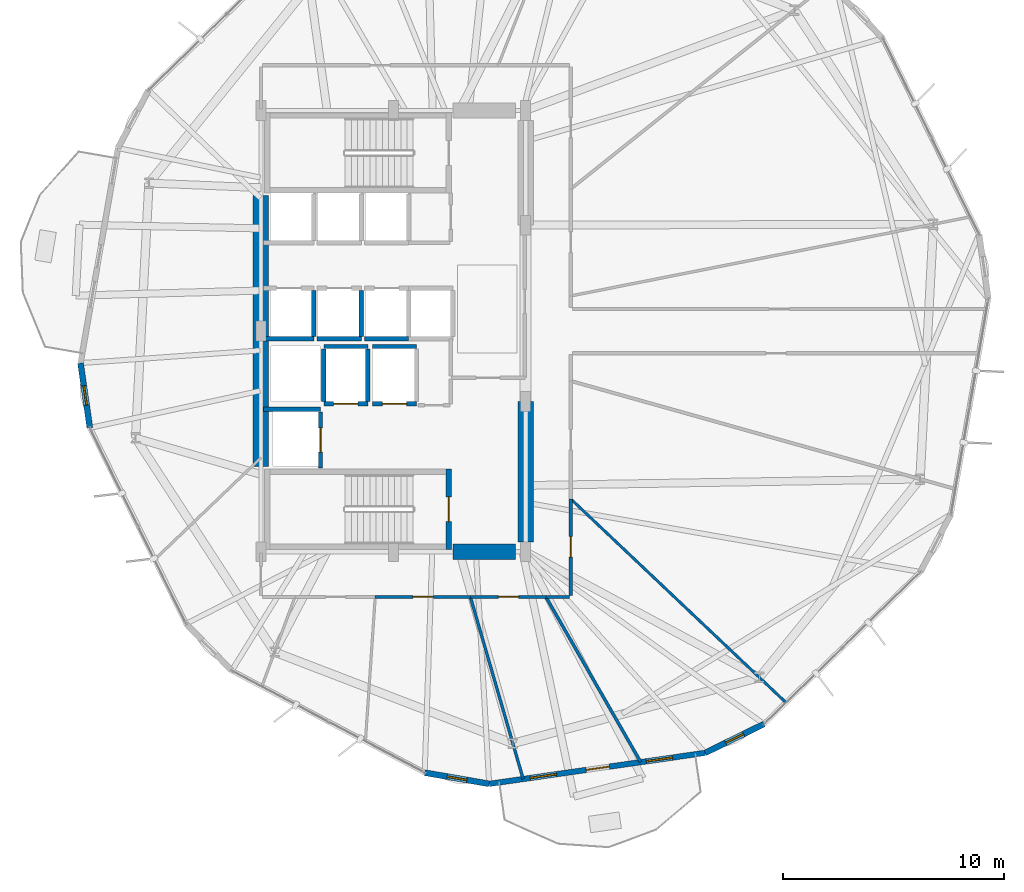
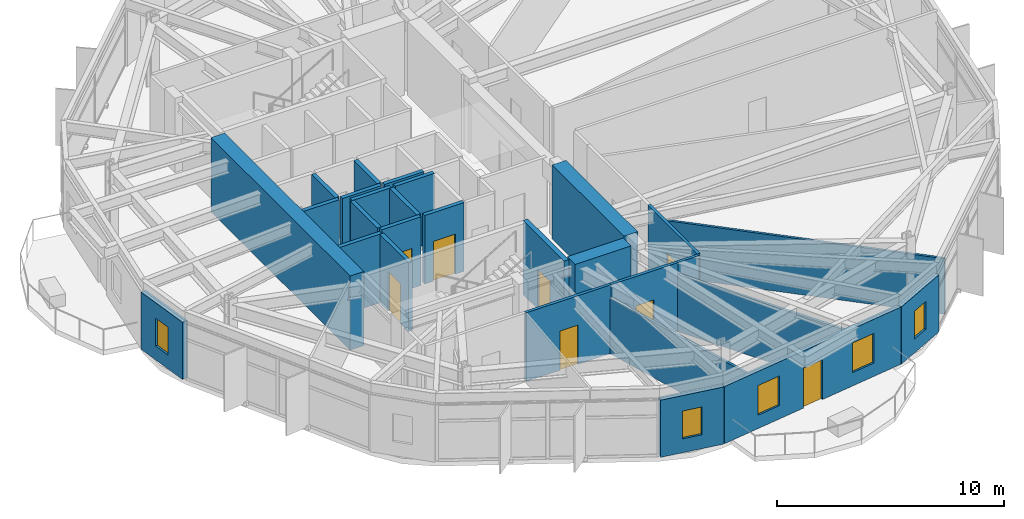
# One storey, part 16 of 22: 28 walls, 8 doors, 5 windows, 13 openings.
"""IFC4 building model written with IfcOpenShell, lengths in metres."""

from ifc_helpers import new_model, si_unit, direction, frame, frame_2d, origin, place, context, subcontext, project, spatial, rectangle, extrude, material, layer, layer_set, type_object, element, fill, save


model = new_model("IFC4")

# Units and contexts
model_context = context("Model", 3, precision=1e-05, world=origin(), true_north=direction((0.0, 1.0)))
body_context = subcontext(model_context, "Body", "Model", "MODEL_VIEW")
ifc_project = project(units=[si_unit("LENGTHUNIT", "METRE"), si_unit("AREAUNIT", "SQUARE_METRE"), si_unit("VOLUMEUNIT", "CUBIC_METRE"), si_unit("PLANEANGLEUNIT", "RADIAN"), si_unit("MASSUNIT", "GRAM", prefix="KILO")], contexts=[model_context])

# Site, building, storey
site_placement = place(None, origin())
site = spatial("IfcSite", under=ifc_project, at=site_placement, CompositionType="ELEMENT")
building_placement = place(site_placement, origin())
building = spatial("IfcBuilding", under=site, at=building_placement, Name="Soratama Intermodal Tower", CompositionType="ELEMENT")
storey_placement = place(building_placement, frame((0.0, 0.0, 58.60009765625)))
storey = spatial("IfcBuildingStorey", under=building, at=storey_placement, Name="L13", CompositionType="ELEMENT", Elevation=58.60009765625)

# Wall, openings, door, windows
ifc_material_1 = material(Name="Concrete f'c 42 MPa", Category="concrete")
ifc_layer_1 = layer(ifc_material_1, 0.25)
ifc_layer_set_1 = layer_set([ifc_layer_1], Name="Concrete f'c 42 MPa")
wall_type_1 = type_object("IfcWallType", Name="EW-BAL-250", PredefinedType="SOLIDWALL", material=ifc_layer_set_1)
wall_1_placement = place(storey_placement, frame((42.9453125, 4.47509765625, 0.0), z_axis=(0.0, 0.0, 1.0), x_axis=(0.989876819663, 0.141929143922, 0.0)))
wall_1 = element("IfcWall", 1, at=wall_1_placement, inside=storey, type_object=wall_type_1, Name="L13 Terrace Wall F08", PredefinedType="SOLIDWALL", context=body_context, shape_type="SweptSolid", body=[
    extrude(rectangle(XDim=9.894287109375, YDim=0.25, at=frame_2d((4.947265625, 0.0))), origin(), (0.0, 0.0, 1.0), 3.078857421875),
])
opening_1_placement = place(wall_1_placement, frame((4.447021484375, 0.0, 0.0)))
opening_1 = element("IfcOpeningElement", 2, at=opening_1_placement, cuts=wall_1, Name="Opening ED-5", PredefinedType="OPENING", context=body_context, shape_type="SweptSolid", body=[
    extrude(rectangle(XDim=1.050048828125, YDim=2.14990234375, at=frame_2d((0.52490234375, 1.074951171875))), frame((0.0, 0.135009765625, 0.0), z_axis=(0.0, -1.0, 0.0), x_axis=(1.0, 0.0, 0.0)), (0.0, 0.0, 1.0), 0.27001953125),
])
opening_2_placement = place(wall_1_placement, frame((1.884765625, 0.0, 0.719970703125)))
opening_2 = element("IfcOpeningElement", 3, at=opening_2_placement, cuts=wall_1, Name="Opening WN-2", PredefinedType="OPENING", context=body_context, shape_type="SweptSolid", body=[
    extrude(rectangle(XDim=1.199951171875, YDim=1.60009765625, at=frame_2d((0.60009765625, 0.800048828125))), frame((0.0, 0.135009765625, 0.0), z_axis=(0.0, -1.0, 0.0), x_axis=(1.0, 0.0, 0.0)), (0.0, 0.0, 1.0), 0.27001953125),
])
opening_3_placement = place(wall_1_placement, frame((7.195556640625, 0.0, 0.719970703125)))
opening_3 = element("IfcOpeningElement", 4, at=opening_3_placement, cuts=wall_1, Name="Opening WN-2", PredefinedType="OPENING", context=body_context, shape_type="SweptSolid", body=[
    extrude(rectangle(XDim=1.199951171875, YDim=1.60009765625, at=frame_2d((0.60009765625, 0.800048828125))), frame((0.0, 0.135009765625, 0.0), z_axis=(0.0, -1.0, 0.0), x_axis=(1.0, 0.0, 0.0)), (0.0, 0.0, 1.0), 0.27001953125),
])
ifc_material_2 = material(Name="Double-glazed aluminium door", Category="aluminium")
door_type_1 = type_object("IfcDoorType", Name="DR-BAL-1050", OperationType="NOTDEFINED", PredefinedType="DOOR", material=ifc_material_2)
door_1_placement = place(opening_1_placement, origin())
door_1 = element("IfcDoor", 5, at=door_1_placement, inside=storey, type_object=door_type_1, Name="L13 Balcony Door F08", OperationType="SINGLE_SWING_RIGHT", OverallHeight=2.14990234375, OverallWidth=1.050048828125, PredefinedType="DOOR", context=body_context, shape_type="SweptSolid", body=[
    extrude(rectangle(XDim=1.050048828125, YDim=2.14990234375, at=frame_2d((0.52490234375, 1.074951171875))), frame((0.0, 0.02490234375, 0.0), z_axis=(0.0, -1.0, 0.0), x_axis=(1.0, 0.0, 0.0)), (0.0, 0.0, 1.0), 0.050048828125),
])
fill(opening_1, door_1)
ifc_material_3 = material(Name="Double-glazed aluminium window", Category="aluminium")
window_type_1 = type_object("IfcWindowType", Name="WN-FAC-1200", PartitioningType="SINGLE_PANEL", PredefinedType="WINDOW", material=ifc_material_3)
window_1_placement = place(opening_2_placement, origin())
window_1 = element("IfcWindow", 6, at=window_1_placement, inside=storey, type_object=window_type_1, Name="L13 Window A F08", OverallHeight=1.60009765625, OverallWidth=1.199951171875, PartitioningType="SINGLE_PANEL", PredefinedType="WINDOW", context=body_context, shape_type="SweptSolid", body=[
    extrude(rectangle(XDim=1.199951171875, YDim=1.60009765625, at=frame_2d((0.60009765625, 0.800048828125))), frame((0.0, 0.030029296875, 0.0), z_axis=(0.0, -1.0, 0.0), x_axis=(1.0, 0.0, 0.0)), (0.0, 0.0, 1.0), 0.06005859375),
])
fill(opening_2, window_1)
window_2_placement = place(opening_3_placement, origin())
window_2 = element("IfcWindow", 7, at=window_2_placement, inside=storey, type_object=window_type_1, Name="L13 Window B F08", OverallHeight=1.60009765625, OverallWidth=1.199951171875, PartitioningType="SINGLE_PANEL", PredefinedType="WINDOW", context=body_context, shape_type="SweptSolid", body=[
    extrude(rectangle(XDim=1.199951171875, YDim=1.60009765625, at=frame_2d((0.60009765625, 0.800048828125))), frame((0.0, 0.030029296875, 0.0), z_axis=(0.0, -1.0, 0.0), x_axis=(1.0, 0.0, 0.0)), (0.0, 0.0, 1.0), 0.06005859375),
])
fill(opening_3, window_2)

# Wall, opening, window
ifc_material_4 = material(Name="Concrete f'c 42 MPa", Category="concrete")
ifc_layer_2 = layer(ifc_material_4, 0.27001953125)
ifc_layer_set_2 = layer_set([ifc_layer_2], Name="Concrete f'c 42 MPa")
wall_type_2 = type_object("IfcWallType", Name="EW-CRN-270", PredefinedType="SOLIDWALL", material=ifc_layer_set_2)
wall_2_placement = place(storey_placement, frame((24.423583984375, 23.548095703125, 0.0), z_axis=(0.0, 0.0, 1.0), x_axis=(0.141962851347, -0.989871986086, 0.0)))
wall_2 = element("IfcWall", 8, at=wall_2_placement, inside=storey, type_object=wall_type_2, Name="L13 Corner Closure Wall 05", PredefinedType="SOLIDWALL", context=body_context, shape_type="SweptSolid", body=[
    extrude(rectangle(XDim=2.966552734375, YDim=0.27001953125, at=frame_2d((1.4833984375, 0.0))), origin(), (0.0, 0.0, 1.0), 3.078857421875),
])
opening_4_placement = place(wall_2_placement, frame((1.033203125, 0.0, 0.75)))
opening_4 = element("IfcOpeningElement", 9, at=opening_4_placement, cuts=wall_2, Name="Opening WN-6", PredefinedType="OPENING", context=body_context, shape_type="SweptSolid", body=[
    extrude(rectangle(XDim=0.89990234375, YDim=1.5, at=frame_2d((0.449951171875, 0.75))), frame((0.0, 0.14501953125, 0.0), z_axis=(0.0, -1.0, 0.0), x_axis=(1.0, 0.0, 0.0)), (0.0, 0.0, 1.0), 0.2900390625),
])
ifc_material_5 = material(Name="Double-glazed aluminium window", Category="aluminium")
window_type_2 = type_object("IfcWindowType", Name="WN-FAC-900", PartitioningType="SINGLE_PANEL", PredefinedType="WINDOW", material=ifc_material_5)
window_3_placement = place(opening_4_placement, origin())
window_3 = element("IfcWindow", 10, at=window_3_placement, inside=storey, type_object=window_type_2, Name="L13 Corner Window 05", OverallHeight=1.5, OverallWidth=0.89990234375, PartitioningType="SINGLE_PANEL", PredefinedType="WINDOW", context=body_context, shape_type="SweptSolid", body=[
    extrude(rectangle(XDim=0.89990234375, YDim=1.5, at=frame_2d((0.449951171875, 0.75))), frame((0.0, 0.030029296875, 0.0), z_axis=(0.0, -1.0, 0.0), x_axis=(1.0, 0.0, 0.0)), (0.0, 0.0, 1.0), 0.06005859375),
])
fill(opening_4, window_3)

wall_3_placement = place(storey_placement, frame((40.0224609375, 4.98193359375, 0.0), z_axis=(0.0, 0.0, 1.0), x_axis=(0.985296200015, -0.170854904045, 0.0)))
wall_3 = element("IfcWall", 11, at=wall_3_placement, inside=storey, type_object=wall_type_2, Name="L13 Corner Closure Wall 07", PredefinedType="SOLIDWALL", context=body_context, shape_type="SweptSolid", body=[
    extrude(rectangle(XDim=2.966552734375, YDim=0.27001953125, at=frame_2d((1.4833984375, 0.0))), origin(), (0.0, 0.0, 1.0), 3.078857421875),
])
opening_5_placement = place(wall_3_placement, frame((1.033203125, 0.0, 0.75)))
opening_5 = element("IfcOpeningElement", 12, at=opening_5_placement, cuts=wall_3, Name="Opening WN-6", PredefinedType="OPENING", context=body_context, shape_type="SweptSolid", body=[
    extrude(rectangle(XDim=0.89990234375, YDim=1.5, at=frame_2d((0.449951171875, 0.75))), frame((0.0, 0.14501953125, 0.0), z_axis=(0.0, -1.0, 0.0), x_axis=(1.0, 0.0, 0.0)), (0.0, 0.0, 1.0), 0.2900390625),
])
window_4_placement = place(opening_5_placement, origin())
window_4 = element("IfcWindow", 13, at=window_4_placement, inside=storey, type_object=window_type_2, Name="L13 Corner Window 07", OverallHeight=1.5, OverallWidth=0.89990234375, PartitioningType="SINGLE_PANEL", PredefinedType="WINDOW", context=body_context, shape_type="SweptSolid", body=[
    extrude(rectangle(XDim=0.89990234375, YDim=1.5, at=frame_2d((0.449951171875, 0.75))), frame((0.0, 0.030029296875, 0.0), z_axis=(0.0, -1.0, 0.0), x_axis=(1.0, 0.0, 0.0)), (0.0, 0.0, 1.0), 0.06005859375),
])
fill(opening_5, window_4)

wall_4_placement = place(storey_placement, frame((52.739501953125, 5.87939453125, 0.0), z_axis=(0.0, 0.0, 1.0), x_axis=(0.897565182517, 0.440881779089, 0.0)))
wall_4 = element("IfcWall", 14, at=wall_4_placement, inside=storey, type_object=wall_type_2, Name="L13 Corner Closure Wall 08", PredefinedType="SOLIDWALL", context=body_context, shape_type="SweptSolid", body=[
    extrude(rectangle(XDim=2.966552734375, YDim=0.27001953125, at=frame_2d((1.4833984375, 0.0))), origin(), (0.0, 0.0, 1.0), 3.078857421875),
])
opening_6_placement = place(wall_4_placement, frame((1.033203125, 0.0, 0.75)))
opening_6 = element("IfcOpeningElement", 15, at=opening_6_placement, cuts=wall_4, Name="Opening WN-6", PredefinedType="OPENING", context=body_context, shape_type="SweptSolid", body=[
    extrude(rectangle(XDim=0.89990234375, YDim=1.5, at=frame_2d((0.449951171875, 0.75))), frame((0.0, 0.14501953125, 0.0), z_axis=(0.0, -1.0, 0.0), x_axis=(1.0, 0.0, 0.0)), (0.0, 0.0, 1.0), 0.2900390625),
])
window_5_placement = place(opening_6_placement, origin())
window_5 = element("IfcWindow", 16, at=window_5_placement, inside=storey, type_object=window_type_2, Name="L13 Corner Window 08", OverallHeight=1.5, OverallWidth=0.89990234375, PartitioningType="SINGLE_PANEL", PredefinedType="WINDOW", context=body_context, shape_type="SweptSolid", body=[
    extrude(rectangle(XDim=0.89990234375, YDim=1.5, at=frame_2d((0.449951171875, 0.75))), frame((0.0, 0.030029296875, 0.0), z_axis=(0.0, -1.0, 0.0), x_axis=(1.0, 0.0, 0.0)), (0.0, 0.0, 1.0), 0.06005859375),
])
fill(opening_6, window_5)

# Wall, opening, door
ifc_material_6 = material(Name="Fire-rated gypsum stud partition", Category="concrete")
ifc_layer_3 = layer(ifc_material_6, 0.14990234375)
ifc_layer_set_3 = layer_set([ifc_layer_3], Name="Fire-rated gypsum stud partition")
wall_type_3 = type_object("IfcWallType", Name="IW-PART-R150", PredefinedType="PARTITIONING", material=ifc_layer_set_3)
wall_5_placement = place(storey_placement, frame((46.64990234375, 17.385009765625, 0.0), z_axis=(0.0, 0.0, 1.0), x_axis=(0.0, -1.0, 0.0)))
wall_5 = element("IfcWall", 17, at=wall_5_placement, inside=storey, type_object=wall_type_3, Name="L13 Partition W-L13-TP017", PredefinedType="PARTITIONING", context=body_context, shape_type="SweptSolid", body=[
    extrude(rectangle(XDim=4.364990234375, YDim=0.14990234375, at=frame_2d((2.1826171875, 0.0))), origin(), (0.0, 0.0, 1.0), 3.699951171875),
])
opening_7_placement = place(wall_5_placement, frame((1.7080078125, 0.0, 0.0)))
opening_7 = element("IfcOpeningElement", 18, at=opening_7_placement, cuts=wall_5, Name="Opening ID-6", PredefinedType="OPENING", context=body_context, shape_type="SweptSolid", body=[
    extrude(rectangle(XDim=0.919921875, YDim=2.1201171875, at=frame_2d((0.4599609375, 1.06005859375))), frame((0.0, 0.0849609375, 0.0), z_axis=(0.0, -1.0, 0.0), x_axis=(1.0, 0.0, 0.0)), (0.0, 0.0, 1.0), 0.169921875),
])
ifc_material_7 = material(Name="Solid hardwood acoustic door", Category="wood")
door_type_2 = type_object("IfcDoorType", Name="DR-ROOM-920", OperationType="NOTDEFINED", PredefinedType="DOOR", material=ifc_material_7)
door_2_placement = place(opening_7_placement, origin())
door_2 = element("IfcDoor", 19, at=door_2_placement, inside=storey, type_object=door_type_2, Name="L13 Door D-L13-TP008", OperationType="SINGLE_SWING_LEFT", OverallHeight=2.1201171875, OverallWidth=0.919921875, PredefinedType="DOOR", context=body_context, shape_type="SweptSolid", body=[
    extrude(rectangle(XDim=0.919921875, YDim=2.1201171875, at=frame_2d((0.4599609375, 1.06005859375))), frame((0.0, 0.02490234375, 0.0), z_axis=(0.0, -1.0, 0.0), x_axis=(1.0, 0.0, 0.0)), (0.0, 0.0, 1.0), 0.050048828125),
])
fill(opening_7, door_2)

wall_6_placement = place(storey_placement, frame((42.093994140625, 12.949951171875, 0.0), z_axis=(0.0, 0.0, 1.0), x_axis=(-1.0, 0.0, 0.0)))
wall_6 = element("IfcWall", 20, at=wall_6_placement, inside=storey, type_object=wall_type_3, Name="L13 Partition W-L13-TP019", PredefinedType="PARTITIONING", context=body_context, shape_type="SweptSolid", body=[
    extrude(rectangle(XDim=4.31298828125, YDim=0.14990234375, at=frame_2d((2.156494140625, 0.0))), origin(), (0.0, 0.0, 1.0), 3.699951171875),
])
opening_8_placement = place(wall_6_placement, frame((1.681884765625, 0.0, 0.0)))
opening_8 = element("IfcOpeningElement", 21, at=opening_8_placement, cuts=wall_6, Name="Opening ID-6", PredefinedType="OPENING", context=body_context, shape_type="SweptSolid", body=[
    extrude(rectangle(XDim=0.919921875, YDim=2.1201171875, at=frame_2d((0.4599609375, 1.06005859375))), frame((0.0, 0.0849609375, 0.0), z_axis=(0.0, -1.0, 0.0), x_axis=(1.0, 0.0, 0.0)), (0.0, 0.0, 1.0), 0.169921875),
])
door_3_placement = place(opening_8_placement, origin())
door_3 = element("IfcDoor", 22, at=door_3_placement, inside=storey, type_object=door_type_2, Name="L13 Door D-L13-TP009", OperationType="SINGLE_SWING_RIGHT", OverallHeight=2.1201171875, OverallWidth=0.919921875, PredefinedType="DOOR", context=body_context, shape_type="SweptSolid", body=[
    extrude(rectangle(XDim=0.919921875, YDim=2.1201171875, at=frame_2d((0.4599609375, 1.06005859375))), frame((0.0, 0.02490234375, 0.0), z_axis=(0.0, -1.0, 0.0), x_axis=(1.0, 0.0, 0.0)), (0.0, 0.0, 1.0), 0.050048828125),
])
fill(opening_8, door_3)

wall_7_placement = place(storey_placement, frame((45.51708984375, 12.949951171875, 0.0), z_axis=(0.0, 0.0, 1.0), x_axis=(-1.0, 0.0, 0.0)))
wall_7 = element("IfcWall", 23, at=wall_7_placement, inside=storey, type_object=wall_type_3, Name="L13 Partition W-L13-TP021", PredefinedType="PARTITIONING", context=body_context, shape_type="SweptSolid", body=[
    extrude(rectangle(XDim=3.423095703125, YDim=0.14990234375, at=frame_2d((1.71142578125, 0.0))), origin(), (0.0, 0.0, 1.0), 3.699951171875),
])
opening_9_placement = place(wall_7_placement, frame((1.237060546875, 0.0, 0.0)))
opening_9 = element("IfcOpeningElement", 24, at=opening_9_placement, cuts=wall_7, Name="Opening ID-6", PredefinedType="OPENING", context=body_context, shape_type="SweptSolid", body=[
    extrude(rectangle(XDim=0.919921875, YDim=2.1201171875, at=frame_2d((0.4599609375, 1.06005859375))), frame((0.0, 0.0849609375, 0.0), z_axis=(0.0, -1.0, 0.0), x_axis=(1.0, 0.0, 0.0)), (0.0, 0.0, 1.0), 0.169921875),
])
door_4_placement = place(opening_9_placement, origin())
door_4 = element("IfcDoor", 25, at=door_4_placement, inside=storey, type_object=door_type_2, Name="L13 Door D-L13-TP011", OperationType="SINGLE_SWING_RIGHT", OverallHeight=2.1201171875, OverallWidth=0.919921875, PredefinedType="DOOR", context=body_context, shape_type="SweptSolid", body=[
    extrude(rectangle(XDim=0.919921875, YDim=2.1201171875, at=frame_2d((0.4599609375, 1.06005859375))), frame((0.0, 0.02490234375, 0.0), z_axis=(0.0, -1.0, 0.0), x_axis=(1.0, 0.0, 0.0)), (0.0, 0.0, 1.0), 0.050048828125),
])
fill(opening_9, door_4)

# Walls
wall_8_placement = place(storey_placement, frame((46.580078125, 12.949951171875, 0.0), z_axis=(0.0, 0.0, 1.0), x_axis=(-1.0, 0.0, 0.0)))
element("IfcWall", 26, at=wall_8_placement, inside=storey, type_object=wall_type_3, Name="L13 Partition W-L13-TP033", PredefinedType="PARTITIONING", context=body_context, shape_type="SweptSolid", body=[
    extrude(rectangle(XDim=1.06298828125, YDim=0.14990234375, at=frame_2d((0.531494140625, 0.0))), origin(), (0.0, 0.0, 1.0), 3.699951171875),
])
ifc_material_8 = material(Name="Fire-rated gypsum stud partition", Category="concrete")
ifc_layer_4 = layer(ifc_material_8, 0.1201171875)
ifc_layer_set_4 = layer_set([ifc_layer_4], Name="Fire-rated gypsum stud partition")
wall_type_4 = type_object("IfcWallType", Name="IW-PART-S120", PredefinedType="PARTITIONING", material=ifc_layer_set_4)
wall_9_placement = place(storey_placement, frame((46.64990234375, 17.385009765625, 0.0), z_axis=(0.0, 0.0, 1.0), x_axis=(0.726394067909, -0.687278442923, 0.0)))
element("IfcWall", 27, at=wall_9_placement, inside=storey, type_object=wall_type_4, Name="L13 Partition W-L13-TP006", PredefinedType="PARTITIONING", context=body_context, shape_type="SweptSolid", body=[
    extrude(rectangle(XDim=13.425537109375, YDim=0.1201171875, at=frame_2d((6.712890625, 0.0))), origin(), (0.0, 0.0, 1.0), 2.994873046875),
])
ifc_material_9 = material(Name="Fire-rated gypsum stud partition", Category="concrete")
ifc_layer_5 = layer(ifc_material_9, 0.1298828125)
ifc_layer_set_5 = layer_set([ifc_layer_5], Name="Fire-rated gypsum stud partition")
wall_type_5 = type_object("IfcWallType", Name="IW-PART-S130", PredefinedType="PARTITIONING", material=ifc_layer_set_5)
wall_10_placement = place(storey_placement, frame((42.093994140625, 12.949951171875, 0.0), z_axis=(0.0, 0.0, 1.0), x_axis=(0.278463654044, -0.960446767591, 0.0)))
element("IfcWall", 28, at=wall_10_placement, inside=storey, type_object=wall_type_5, Name="L13 Partition W-L13-TP010", PredefinedType="PARTITIONING", context=body_context, shape_type="SweptSolid", body=[
    extrude(rectangle(XDim=8.59375, YDim=0.1298828125, at=frame_2d((4.296875, 0.0))), origin(), (0.0, 0.0, 1.0), 2.994873046875),
])
ifc_material_10 = material(Name="Fire-rated gypsum stud partition", Category="concrete")
ifc_layer_6 = layer(ifc_material_10, 0.139892578125)
ifc_layer_set_6 = layer_set([ifc_layer_6], Name="Fire-rated gypsum stud partition")
wall_type_6 = type_object("IfcWallType", Name="IW-PART-S140", PredefinedType="PARTITIONING", material=ifc_layer_set_6)
wall_11_placement = place(storey_placement, frame((45.51708984375, 12.949951171875, 0.0), z_axis=(0.0, 0.0, 1.0), x_axis=(0.497782071086, -0.867302144414, 0.0)))
element("IfcWall", 29, at=wall_11_placement, inside=storey, type_object=wall_type_6, Name="L13 Partition W-L13-TP009", PredefinedType="PARTITIONING", context=body_context, shape_type="SweptSolid", body=[
    extrude(rectangle(XDim=8.635986328125, YDim=0.139892578125, at=frame_2d((4.31787109375, 0.0))), origin(), (0.0, 0.0, 1.0), 3.073974609375),
])

# Wall, opening, door
ifc_material_11 = material(Name="Concrete f'c 42 MPa", Category="concrete")
ifc_layer_7 = layer(ifc_material_11, 0.199951171875)
ifc_layer_set_7 = layer_set([ifc_layer_7], Name="Concrete f'c 42 MPa")
wall_type_7 = type_object("IfcWallType", Name="IW-SHAFT-200", PredefinedType="SOLIDWALL", material=ifc_layer_set_7)
wall_12_placement = place(storey_placement, frame((35.449951171875, 21.699951171875, 0.0), z_axis=(0.0, 0.0, 1.0), x_axis=(1.0, 0.0, 0.0)))
wall_12 = element("IfcWall", 30, at=wall_12_placement, inside=storey, type_object=wall_type_7, Name="L13 FFL-1 Hoistway Wall S", PredefinedType="SOLIDWALL", context=body_context, shape_type="SweptSolid", body=[
    extrude(rectangle(XDim=2.0, YDim=0.199951171875, at=frame_2d((1.0, 0.0))), origin(), (0.0, 0.0, 1.0), 3.699951171875),
])
opening_10_placement = place(wall_12_placement, frame((0.449951171875, 0.0, 0.0)))
opening_10 = element("IfcOpeningElement", 31, at=opening_10_placement, cuts=wall_12, Name="Opening LD-1", PredefinedType="OPENING", context=body_context, shape_type="SweptSolid", body=[
    extrude(rectangle(XDim=1.10009765625, YDim=2.14990234375, at=frame_2d((0.550048828125, 1.074951171875))), frame((0.0, 0.10986328125, 0.0), z_axis=(0.0, -1.0, 0.0), x_axis=(1.0, 0.0, 0.0)), (0.0, 0.0, 1.0), 0.219970703125),
])
ifc_material_12 = material(Name="Steel fire door", Category="steel")
door_type_3 = type_object("IfcDoorType", Name="DR-LIFT-SLIDE", OperationType="NOTDEFINED", PredefinedType="DOOR", material=ifc_material_12)
door_5_placement = place(opening_10_placement, origin())
door_5 = element("IfcDoor", 32, at=door_5_placement, inside=storey, type_object=door_type_3, Name="L13 FFL-1 Sliding Landing Door", OperationType="SLIDING_TO_LEFT", OverallHeight=2.14990234375, OverallWidth=1.10009765625, PredefinedType="DOOR", context=body_context, shape_type="SweptSolid", body=[
    extrude(rectangle(XDim=1.10009765625, YDim=2.14990234375, at=frame_2d((0.550048828125, 1.074951171875))), frame((0.0, 0.02490234375, 0.0), z_axis=(0.0, -1.0, 0.0), x_axis=(1.0, 0.0, 0.0)), (0.0, 0.0, 1.0), 0.050048828125),
])
fill(opening_10, door_5)

# Walls
wall_13_placement = place(storey_placement, frame((35.449951171875, 24.300048828125, 0.0), z_axis=(0.0, 0.0, 1.0), x_axis=(1.0, 0.0, 0.0)))
element("IfcWall", 33, at=wall_13_placement, inside=storey, type_object=wall_type_7, Name="L13 FFL-1 Hoistway Wall N", PredefinedType="SOLIDWALL", context=body_context, shape_type="SweptSolid", body=[
    extrude(rectangle(XDim=2.0, YDim=0.199951171875, at=frame_2d((1.0, 0.0))), origin(), (0.0, 0.0, 1.0), 3.699951171875),
])
for number, where, z_axis, x_axis, name in (
    (34, (35.449951171875, 21.81005859375, 0.0), (0.0, 0.0, 1.0), (0.0, 1.0, 0.0), "L13 FFL-1 Hoistway Wall W"),
    (35, (37.449951171875, 21.81005859375, 0.0), (0.0, 0.0, 1.0), (0.0, 1.0, 0.0), "L13 FFL-1 Hoistway Wall E"),
):
    element("IfcWall", number, at=place(storey_placement, frame(where, z_axis=z_axis, x_axis=x_axis)), inside=storey, type_object=wall_type_7, Name=name, PredefinedType="SOLIDWALL", context=body_context, shape_type="SweptSolid", body=[
        extrude(rectangle(XDim=2.3798828125, YDim=0.199951171875, at=frame_2d((1.18994140625, 0.0))), origin(), (0.0, 0.0, 1.0), 3.699951171875),
    ])

# Wall, opening, door
wall_14_placement = place(storey_placement, frame((37.64990234375, 21.699951171875, 0.0), z_axis=(0.0, 0.0, 1.0), x_axis=(1.0, 0.0, 0.0)))
wall_14 = element("IfcWall", 36, at=wall_14_placement, inside=storey, type_object=wall_type_7, Name="L13 FFL-2 Hoistway Wall S", PredefinedType="SOLIDWALL", context=body_context, shape_type="SweptSolid", body=[
    extrude(rectangle(XDim=2.0, YDim=0.199951171875, at=frame_2d((1.0, 0.0))), origin(), (0.0, 0.0, 1.0), 3.699951171875),
])
opening_11_placement = place(wall_14_placement, frame((0.449951171875, 0.0, 0.0)))
opening_11 = element("IfcOpeningElement", 37, at=opening_11_placement, cuts=wall_14, Name="Opening LD-1", PredefinedType="OPENING", context=body_context, shape_type="SweptSolid", body=[
    extrude(rectangle(XDim=1.10009765625, YDim=2.14990234375, at=frame_2d((0.550048828125, 1.074951171875))), frame((0.0, 0.10986328125, 0.0), z_axis=(0.0, -1.0, 0.0), x_axis=(1.0, 0.0, 0.0)), (0.0, 0.0, 1.0), 0.219970703125),
])
door_6_placement = place(opening_11_placement, origin())
door_6 = element("IfcDoor", 38, at=door_6_placement, inside=storey, type_object=door_type_3, Name="L13 FFL-2 Sliding Landing Door", OperationType="SLIDING_TO_LEFT", OverallHeight=2.14990234375, OverallWidth=1.10009765625, PredefinedType="DOOR", context=body_context, shape_type="SweptSolid", body=[
    extrude(rectangle(XDim=1.10009765625, YDim=2.14990234375, at=frame_2d((0.550048828125, 1.074951171875))), frame((0.0, 0.02490234375, 0.0), z_axis=(0.0, -1.0, 0.0), x_axis=(1.0, 0.0, 0.0)), (0.0, 0.0, 1.0), 0.050048828125),
])
fill(opening_11, door_6)

# Walls
wall_15_placement = place(storey_placement, frame((37.64990234375, 24.300048828125, 0.0), z_axis=(0.0, 0.0, 1.0), x_axis=(1.0, 0.0, 0.0)))
element("IfcWall", 39, at=wall_15_placement, inside=storey, type_object=wall_type_7, Name="L13 FFL-2 Hoistway Wall N", PredefinedType="SOLIDWALL", context=body_context, shape_type="SweptSolid", body=[
    extrude(rectangle(XDim=2.0, YDim=0.199951171875, at=frame_2d((1.0, 0.0))), origin(), (0.0, 0.0, 1.0), 3.699951171875),
])
wall_16_placement = place(storey_placement, frame((32.719970703125, 21.449951171875, 0.0), z_axis=(0.0, 0.0, 1.0), x_axis=(1.0, 0.0, 0.0)))
element("IfcWall", 40, at=wall_16_placement, inside=storey, type_object=wall_type_7, Name="L13 SVL-1 Hoistway Wall N", PredefinedType="SOLIDWALL", context=body_context, shape_type="SweptSolid", body=[
    extrude(rectangle(XDim=2.580078125, YDim=0.199951171875, at=frame_2d((1.2900390625, 0.0))), origin(), (0.0, 0.0, 1.0), 3.699951171875),
])

# Wall, opening, door
wall_17_placement = place(storey_placement, frame((35.300048828125, 18.7900390625, 0.0), z_axis=(0.0, 0.0, 1.0), x_axis=(0.0, 1.0, 0.0)))
wall_17 = element("IfcWall", 41, at=wall_17_placement, inside=storey, type_object=wall_type_7, Name="L13 SVL-1 Hoistway Wall E", PredefinedType="SOLIDWALL", context=body_context, shape_type="SweptSolid", body=[
    extrude(rectangle(XDim=2.550048828125, YDim=0.199951171875, at=frame_2d((1.27490234375, 0.0))), origin(), (0.0, 0.0, 1.0), 3.699951171875),
])
opening_12_placement = place(wall_17_placement, frame((0.72509765625, 0.0, 0.0)))
opening_12 = element("IfcOpeningElement", 42, at=opening_12_placement, cuts=wall_17, Name="Opening LD-1", PredefinedType="OPENING", context=body_context, shape_type="SweptSolid", body=[
    extrude(rectangle(XDim=1.10009765625, YDim=2.14990234375, at=frame_2d((0.550048828125, 1.074951171875))), frame((0.0, 0.10986328125, 0.0), z_axis=(0.0, -1.0, 0.0), x_axis=(1.0, 0.0, 0.0)), (0.0, 0.0, 1.0), 0.219970703125),
])
door_7_placement = place(opening_12_placement, origin())
door_7 = element("IfcDoor", 43, at=door_7_placement, inside=storey, type_object=door_type_3, Name="L13 SVL-1 Sliding Landing Door", OperationType="SLIDING_TO_LEFT", OverallHeight=2.14990234375, OverallWidth=1.10009765625, PredefinedType="DOOR", context=body_context, shape_type="SweptSolid", body=[
    extrude(rectangle(XDim=1.10009765625, YDim=2.14990234375, at=frame_2d((0.550048828125, 1.074951171875))), frame((0.0, 0.02490234375, 0.0), z_axis=(0.0, -1.0, 0.0), x_axis=(1.0, 0.0, 0.0)), (0.0, 0.0, 1.0), 0.050048828125),
])
fill(opening_12, door_7)

# Walls
wall_18_placement = place(storey_placement, frame((32.719970703125, 24.64990234375, 0.0), z_axis=(0.0, 0.0, 1.0), x_axis=(1.0, 0.0, 0.0)))
element("IfcWall", 44, at=wall_18_placement, inside=storey, type_object=wall_type_7, Name="L13 PL-L1 Hoistway Wall S", PredefinedType="SOLIDWALL", context=body_context, shape_type="SweptSolid", body=[
    extrude(rectangle(XDim=2.280029296875, YDim=0.199951171875, at=frame_2d((1.14013671875, 0.0))), origin(), (0.0, 0.0, 1.0), 3.699951171875),
])
wall_19_placement = place(storey_placement, frame((35.0, 24.760009765625, 0.0), z_axis=(0.0, 0.0, 1.0), x_axis=(0.0, 1.0, 0.0)))
element("IfcWall", 45, at=wall_19_placement, inside=storey, type_object=wall_type_7, Name="L13 PL-L1 Hoistway Wall E", PredefinedType="SOLIDWALL", context=body_context, shape_type="SweptSolid", body=[
    extrude(rectangle(XDim=2.080078125, YDim=0.199951171875, at=frame_2d((1.0400390625, 0.0))), origin(), (0.0, 0.0, 1.0), 3.699951171875),
])
wall_20_placement = place(storey_placement, frame((35.14990234375, 24.64990234375, 0.0), z_axis=(0.0, 0.0, 1.0), x_axis=(1.0, 0.0, 0.0)))
element("IfcWall", 46, at=wall_20_placement, inside=storey, type_object=wall_type_7, Name="L13 PL-L2 Hoistway Wall S", PredefinedType="SOLIDWALL", context=body_context, shape_type="SweptSolid", body=[
    extrude(rectangle(XDim=2.0, YDim=0.199951171875, at=frame_2d((1.0, 0.0))), origin(), (0.0, 0.0, 1.0), 3.699951171875),
])
wall_21_placement = place(storey_placement, frame((37.14990234375, 24.760009765625, 0.0), z_axis=(0.0, 0.0, 1.0), x_axis=(0.0, 1.0, 0.0)))
element("IfcWall", 47, at=wall_21_placement, inside=storey, type_object=wall_type_7, Name="L13 PL-L2 Hoistway Wall E", PredefinedType="SOLIDWALL", context=body_context, shape_type="SweptSolid", body=[
    extrude(rectangle(XDim=2.080078125, YDim=0.199951171875, at=frame_2d((1.0400390625, 0.0))), origin(), (0.0, 0.0, 1.0), 3.699951171875),
])
wall_22_placement = place(storey_placement, frame((37.300048828125, 24.64990234375, 0.0), z_axis=(0.0, 0.0, 1.0), x_axis=(1.0, 0.0, 0.0)))
element("IfcWall", 48, at=wall_22_placement, inside=storey, type_object=wall_type_7, Name="L13 PL-L3 Hoistway Wall S", PredefinedType="SOLIDWALL", context=body_context, shape_type="SweptSolid", body=[
    extrude(rectangle(XDim=2.0, YDim=0.199951171875, at=frame_2d((1.0, 0.0))), origin(), (0.0, 0.0, 1.0), 3.699951171875),
])
ifc_material_13 = material(Name="Concrete f'c 56 MPa", Category="concrete")
ifc_layer_8 = layer(ifc_material_13, 0.699951171875)
ifc_layer_set_8 = layer_set([ifc_layer_8], Name="Concrete f'c 56 MPa")
wall_type_8 = type_object("IfcWallType", Name="SW-CORE-700", PredefinedType="SHEAR", material=ifc_layer_set_8)
wall_23_placement = place(storey_placement, frame((32.60009765625, 18.85009765625, 0.0), z_axis=(0.0, 0.0, 1.0), x_axis=(0.0, 1.0, 0.0)))
element("IfcWall", 49, at=wall_23_placement, inside=storey, type_object=wall_type_8, Name="L13 Core Shear Wall CW-WMID", PredefinedType="SHEAR", context=body_context, shape_type="SweptSolid", body=[
    extrude(rectangle(XDim=12.2998046875, YDim=0.699951171875, at=frame_2d((6.14990234375, 0.0))), origin(), (0.0, 0.0, 1.0), 4.0),
])
wall_24_placement = place(storey_placement, frame((41.300048828125, 15.0, 0.0), z_axis=(0.0, 0.0, 1.0), x_axis=(1.0, 0.0, 0.0)))
element("IfcWall", 50, at=wall_24_placement, inside=storey, type_object=wall_type_8, Name="L13 Core Shear Wall CW-SE", PredefinedType="SHEAR", context=body_context, shape_type="SweptSolid", body=[
    extrude(rectangle(XDim=2.849853515625, YDim=0.699951171875, at=frame_2d((1.4248046875, 0.0))), origin(), (0.0, 0.0, 1.0), 4.0),
])
wall_25_placement = place(storey_placement, frame((44.60009765625, 15.449951171875, 0.0), z_axis=(0.0, 0.0, 1.0), x_axis=(0.0, 1.0, 0.0)))
element("IfcWall", 51, at=wall_25_placement, inside=storey, type_object=wall_type_8, Name="L13 Core Shear Wall CW-ES", PredefinedType="SHEAR", context=body_context, shape_type="SweptSolid", body=[
    extrude(rectangle(XDim=6.35009765625, YDim=0.699951171875, at=frame_2d((3.175048828125, 0.0))), origin(), (0.0, 0.0, 1.0), 4.0),
])

# Wall, opening, door
ifc_material_14 = material(Name="Concrete f'c 56 MPa", Category="concrete")
ifc_layer_9 = layer(ifc_material_14, 0.239990234375)
ifc_layer_set_9 = layer_set([ifc_layer_9], Name="Concrete f'c 56 MPa")
wall_type_9 = type_object("IfcWallType", Name="SW-STAIR-240", PredefinedType="SHEAR", material=ifc_layer_set_9)
wall_26_placement = place(storey_placement, frame((41.1201171875, 15.110107421875, 0.0), z_axis=(0.0, 0.0, 1.0), x_axis=(0.0, 1.0, 0.0)))
wall_26 = element("IfcWall", 52, at=wall_26_placement, inside=storey, type_object=wall_type_9, Name="L13 ST-1 Shaft Shear Wall E", PredefinedType="SHEAR", context=body_context, shape_type="SweptSolid", body=[
    extrude(rectangle(XDim=3.6298828125, YDim=0.239990234375, at=frame_2d((1.81494140625, 0.0))), origin(), (0.0, 0.0, 1.0), 4.0),
])
opening_13_placement = place(wall_26_placement, frame((1.2548828125, 0.0, 0.0)))
opening_13 = element("IfcOpeningElement", 53, at=opening_13_placement, cuts=wall_26, Name="Opening SD-1", PredefinedType="OPENING", context=body_context, shape_type="SweptSolid", body=[
    extrude(rectangle(XDim=1.1201171875, YDim=2.14990234375, at=frame_2d((0.56005859375, 1.074951171875))), frame((0.0, 0.1298828125, 0.0), z_axis=(0.0, -1.0, 0.0), x_axis=(1.0, 0.0, 0.0)), (0.0, 0.0, 1.0), 0.260009765625),
])
ifc_material_15 = material(Name="Steel fire door", Category="steel")
door_type_4 = type_object("IfcDoorType", Name="DR-STAIR-FD90", OperationType="NOTDEFINED", PredefinedType="DOOR", material=ifc_material_15)
door_8_placement = place(opening_13_placement, origin())
door_8 = element("IfcDoor", 54, at=door_8_placement, inside=storey, type_object=door_type_4, Name="L13 ST-1 Exit Stair Door", OperationType="SINGLE_SWING_LEFT", OverallHeight=2.14990234375, OverallWidth=1.1201171875, PredefinedType="DOOR", context=body_context, shape_type="SweptSolid", body=[
    extrude(rectangle(XDim=1.1201171875, YDim=2.14990234375, at=frame_2d((0.56005859375, 1.074951171875))), frame((0.0, 0.02490234375, 0.0), z_axis=(0.0, -1.0, 0.0), x_axis=(1.0, 0.0, 0.0)), (0.0, 0.0, 1.0), 0.050048828125),
])
fill(opening_13, door_8)

save(model, "model.ifc")
